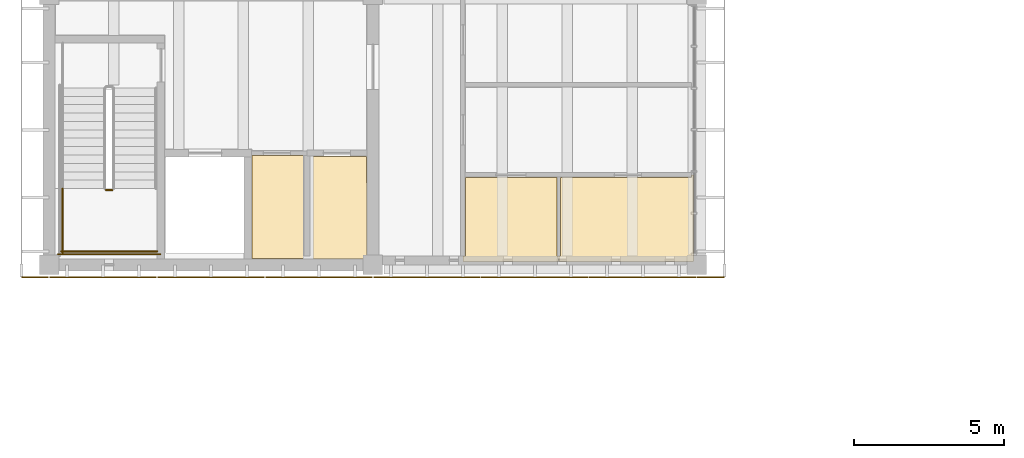
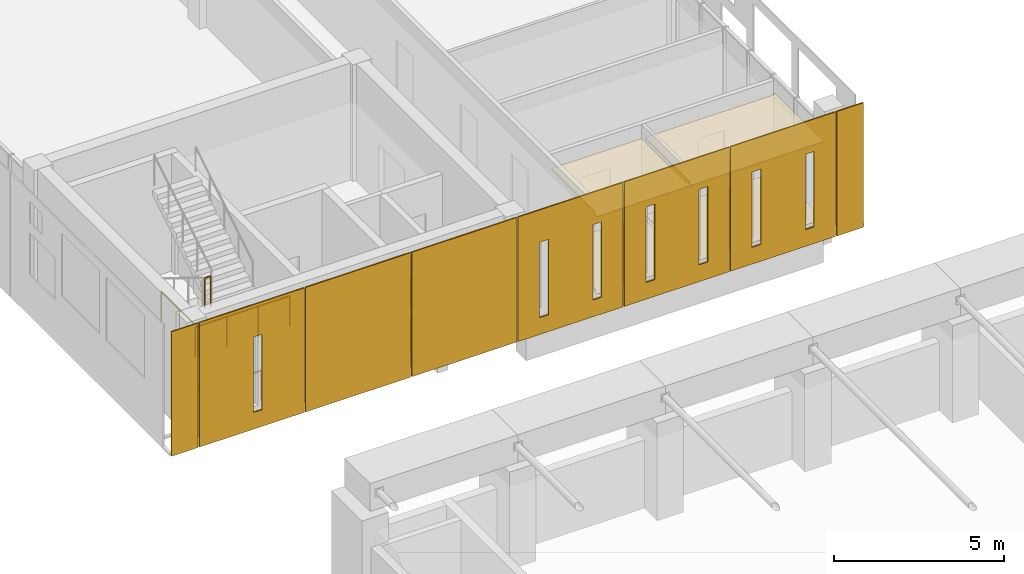
# One storey, part 72 of 92: 14 coverings, 4 railings.
"""IFC4 building model written with IfcOpenShell, lengths in metres."""

from ifc_helpers import new_model, si_unit, direction, frame, origin, origin_2d, place, context, subcontext, project, spatial, polyline, circle, outline, extrude, source, transform, mapped, material, layer, layer_set, type_object, element, save


model = new_model("IFC4")

# Units and contexts
model_context = context("Model", 3, precision=1e-05, world=origin(), true_north=direction((0.0, 1.0)))
body_context = subcontext(model_context, "Body", "Model", "MODEL_VIEW")
ifc_project = project(units=[si_unit("LENGTHUNIT", "METRE"), si_unit("AREAUNIT", "SQUARE_METRE"), si_unit("VOLUMEUNIT", "CUBIC_METRE"), si_unit("PLANEANGLEUNIT", "RADIAN"), si_unit("MASSUNIT", "GRAM", prefix="KILO")], contexts=[model_context])

# Site, building, storey
site_placement = place(None, origin())
site = spatial("IfcSite", under=ifc_project, at=site_placement, CompositionType="ELEMENT")
building_placement = place(site_placement, origin())
building = spatial("IfcBuilding", under=site, at=building_placement, Name="Merrow Basin Faculty of Sciences", CompositionType="ELEMENT")
storey_placement = place(building_placement, frame((0.0, 0.0, 4.5)))
storey = spatial("IfcBuildingStorey", under=building, at=storey_placement, Name="L01", CompositionType="ELEMENT", Elevation=4.5)

# Coverings
ifc_material_1 = material(Name="Carpet tile floor")
ifc_layer_1 = layer(ifc_material_1, 0.02001953125)
ifc_layer_set_1 = layer_set([ifc_layer_1], Name="Carpet tile floor")
covering_type_1 = type_object("IfcCoveringType", Name="Carpet tile floor", PredefinedType="FLOORING", material=ifc_layer_set_1)
covering_1_placement = place(storey_placement, origin())
element("IfcCovering", 1, at=covering_1_placement, inside=storey, type_object=covering_type_1, Name="Floor finish L01-B-004", PredefinedType="FLOORING", context=body_context, shape_type="SweptSolid", body=[
    extrude(outline(polyline([(10.590087890625, 64.614990234375), (10.590087890625, 61.31494140625), (10.7900390625, 61.31494140625), (10.7900390625, 61.110107421875), (10.485107421875, 61.110107421875), (10.485107421875, 61.2099609375), (8.610107421875, 61.2099609375), (8.610107421875, 61.2900390625), (8.7099609375, 61.2900390625), (8.7099609375, 64.614990234375), (10.590087890625, 64.614990234375)])), origin(), (0.0, 0.0, 1.0), 0.02001953125),
])
ifc_material_2 = material(Name="Ceramic floor tile")
ifc_layer_2 = layer(ifc_material_2, 0.02001953125)
ifc_layer_set_2 = layer_set([ifc_layer_2], Name="Ceramic floor tile")
covering_type_2 = type_object("IfcCoveringType", Name="Ceramic floor tile", PredefinedType="FLOORING", material=ifc_layer_set_2)
covering_2_placement = place(storey_placement, origin())
element("IfcCovering", 2, at=covering_2_placement, inside=storey, type_object=covering_type_2, Name="Floor finish L01-B-014", PredefinedType="FLOORING", context=body_context, shape_type="SweptSolid", body=[
    extrude(outline(polyline([(16.989990234375, 61.110107421875), (13.81005859375, 61.110107421875), (13.81005859375, 61.2900390625), (13.885009765625, 61.2900390625), (13.885009765625, 63.9150390625), (16.93994140625, 63.9150390625), (16.93994140625, 61.2900390625), (16.989990234375, 61.2900390625), (16.989990234375, 61.110107421875)])), origin(), (0.0, 0.0, 1.0), 0.02001953125),
])
covering_3_placement = place(storey_placement, origin())
element("IfcCovering", 3, at=covering_3_placement, inside=storey, type_object=covering_type_2, Name="Floor finish L01-B-015", PredefinedType="FLOORING", context=body_context, shape_type="SweptSolid", body=[
    extrude(outline(polyline([(21.489990234375, 63.989990234375), (21.489990234375, 61.110107421875), (17.010009765625, 61.110107421875), (17.010009765625, 61.2900390625), (17.06005859375, 61.2900390625), (17.06005859375, 63.9150390625), (21.429931640625, 63.9150390625), (21.429931640625, 63.989990234375), (21.489990234375, 63.989990234375)])), origin(), (0.0, 0.0, 1.0), 0.02001953125),
])
ifc_material_3 = material(Name="Sealed concrete floor", Category="concrete")
ifc_layer_3 = layer(ifc_material_3, 0.02001953125)
ifc_layer_set_3 = layer_set([ifc_layer_3], Name="Sealed concrete floor")
covering_type_3 = type_object("IfcCoveringType", Name="Sealed concrete floor", PredefinedType="FLOORING", material=ifc_layer_set_3)
covering_4_placement = place(storey_placement, origin())
element("IfcCovering", 4, at=covering_4_placement, inside=storey, type_object=covering_type_3, Name="Floor finish L01-B-003", PredefinedType="FLOORING", context=body_context, shape_type="SweptSolid", body=[
    extrude(outline(polyline([(8.590087890625, 61.2099609375), (6.760009765625, 61.2099609375), (6.760009765625, 64.639892578125), (8.489990234375, 64.639892578125), (8.489990234375, 61.2900390625), (8.590087890625, 61.2900390625), (8.590087890625, 61.2099609375)])), origin(), (0.0, 0.0, 1.0), 0.02001953125),
])

# Railings
ifc_material_4 = material(Name="Steel ASTM A36", Category="steel")
railing_type = type_object("IfcRailingType", Name="Steel guard 1100", PredefinedType="GUARDRAIL", material=ifc_material_4)
railing_1_placement = place(storey_placement, frame((1.89990234375, 63.489990234375, 2.25)))
element("IfcRailing", 5, at=railing_1_placement, inside=storey, type_object=railing_type, Name="L01 ST-V4-S stair guard 2", PredefinedType="GUARDRAIL", context=body_context, shape_type="SweptSolid", body=[
    extrude(circle(Radius=0.02392578125, at=origin_2d()), frame((0.0, 0.0, 1.076171875), z_axis=(1.0, 0.0, 0.0), x_axis=(0.0, 1.0, 0.0)), (0.0, 0.0, 1.0), 0.2001953125),
    extrude(circle(Radius=0.02099609375, at=origin_2d()), origin(), (0.0, 0.0, 1.0), 1.052001953125),
    extrude(circle(Radius=0.02099609375, at=origin_2d()), frame((0.2001953125, 0.0, 0.0)), (0.0, 0.0, 1.0), 1.052001953125),
])
railing_2_placement = place(storey_placement, frame((0.449951171875, 63.5400390625, 2.25)))
element("IfcRailing", 6, at=railing_2_placement, inside=storey, type_object=railing_type, Name="L01 ST-V4-S stair guard 3", PredefinedType="GUARDRAIL", context=body_context, shape_type="SweptSolid", body=[
    extrude(circle(Radius=0.02392578125, at=origin_2d()), frame((0.0, 0.0, 1.076171875), z_axis=(0.0, -1.0, 0.0), x_axis=(1.0, 0.0, 0.0)), (0.0, 0.0, 1.0), 2.14013671875),
    extrude(circle(Radius=0.02099609375, at=origin_2d()), origin(), (0.0, 0.0, 1.0), 1.052001953125),
    extrude(circle(Radius=0.02099609375, at=origin_2d()), frame((0.0, -1.070068359375, 0.0)), (0.0, 0.0, 1.0), 1.052001953125),
    extrude(circle(Radius=0.02099609375, at=origin_2d()), frame((0.0, -2.14013671875, 0.0)), (0.0, 0.0, 1.0), 1.052001953125),
])
railing_3_placement = place(storey_placement, frame((0.39990234375, 61.449951171875, 2.25)))
element("IfcRailing", 7, at=railing_3_placement, inside=storey, type_object=railing_type, Name="L01 ST-V4-S stair guard 4", PredefinedType="GUARDRAIL", context=body_context, shape_type="SweptSolid", body=[
    extrude(circle(Radius=0.02392578125, at=origin_2d()), frame((0.0, 0.0, 1.076171875), z_axis=(1.0, 0.0, 0.0), x_axis=(0.0, 1.0, 0.0)), (0.0, 0.0, 1.0), 3.2001953125),
    extrude(circle(Radius=0.02099609375, at=origin_2d()), origin(), (0.0, 0.0, 1.0), 1.052001953125),
    extrude(circle(Radius=0.02099609375, at=origin_2d()), frame((1.066650390625, 0.0, 0.0)), (0.0, 0.0, 1.0), 1.052001953125),
    extrude(circle(Radius=0.02099609375, at=origin_2d()), frame((2.133544921875, 0.0, 0.0)), (0.0, 0.0, 1.0), 1.052001953125),
    extrude(circle(Radius=0.02099609375, at=origin_2d()), frame((3.2001953125, 0.0, 0.0)), (0.0, 0.0, 1.0), 1.052001953125),
])
railing_4_placement = place(storey_placement, frame((0.300048828125, 61.35009765625, 0.0)))
element("IfcRailing", 8, at=railing_4_placement, inside=storey, type_object=railing_type, Name="L01 ST-V4-S stair guard 9", PredefinedType="GUARDRAIL", context=body_context, shape_type="SweptSolid", body=[
    extrude(circle(Radius=0.02392578125, at=origin_2d()), frame((0.0, 0.0, 1.076171875), z_axis=(1.0, 0.0, 0.0), x_axis=(0.0, 1.0, 0.0)), (0.0, 0.0, 1.0), 3.39990234375),
    extrude(circle(Radius=0.02099609375, at=origin_2d()), origin(), (0.0, 0.0, 1.0), 1.052001953125),
    extrude(circle(Radius=0.02099609375, at=origin_2d()), frame((1.13330078125, 0.0, 0.0)), (0.0, 0.0, 1.0), 1.052001953125),
    extrude(circle(Radius=0.02099609375, at=origin_2d()), frame((2.2666015625, 0.0, 0.0)), (0.0, 0.0, 1.0), 1.052001953125),
    extrude(circle(Radius=0.02099609375, at=origin_2d()), frame((3.39990234375, 0.0, 0.0)), (0.0, 0.0, 1.0), 1.052001953125),
])

# Coverings
ifc_material_5 = material(Name="Mineral fibre ceiling tile")
ifc_layer_4 = layer(ifc_material_5, 0.050048828125)
ifc_layer_set_4 = layer_set([ifc_layer_4], Name="Suspended acoustic ceiling tile")
covering_type_4 = type_object("IfcCoveringType", Name="Suspended acoustic ceiling tile", PredefinedType="CEILING", material=ifc_layer_set_4)
covering_5_placement = place(storey_placement, frame((0.0, 0.0, 2.75)))
element("IfcCovering", 9, at=covering_5_placement, inside=storey, type_object=covering_type_4, Name="Ceiling L01-B-014", PredefinedType="CEILING", context=body_context, shape_type="SweptSolid", body=[
    extrude(outline(polyline([(16.989990234375, 61.110107421875), (13.81005859375, 61.110107421875), (13.81005859375, 61.2900390625), (13.885009765625, 61.2900390625), (13.885009765625, 63.9150390625), (16.93994140625, 63.9150390625), (16.93994140625, 61.2900390625), (16.989990234375, 61.2900390625), (16.989990234375, 61.110107421875)])), origin(), (0.0, 0.0, 1.0), 0.050048828125),
])
covering_6_placement = place(storey_placement, frame((0.0, 0.0, 2.75)))
element("IfcCovering", 10, at=covering_6_placement, inside=storey, type_object=covering_type_4, Name="Ceiling L01-B-015", PredefinedType="CEILING", context=body_context, shape_type="SweptSolid", body=[
    extrude(outline(polyline([(21.489990234375, 63.989990234375), (21.489990234375, 61.110107421875), (17.010009765625, 61.110107421875), (17.010009765625, 61.2900390625), (17.06005859375, 61.2900390625), (17.06005859375, 63.9150390625), (21.429931640625, 63.9150390625), (21.429931640625, 63.989990234375), (21.489990234375, 63.989990234375)])), origin(), (0.0, 0.0, 1.0), 0.050048828125),
])
ifc_material_6 = material(Name="White powder-coated aluminium", Category="aluminium")
ifc_layer_5 = layer(ifc_material_6, 0.0400390625)
ifc_layer_set_5 = layer_set([ifc_layer_5], Name="End corner panel 940 x 4500")
covering_type_5 = type_object("IfcCoveringType", Name="End corner panel 940 x 4500", PredefinedType="CLADDING", material=ifc_layer_set_5)
shared_shape_1 = source(origin(), body_context, "Body", "SweptSolid", [
    extrude(outline(polyline([(0.02001953125, 0.02001953125), (0.919921875, 0.02001953125), (0.919921875, 4.47998046875), (0.02001953125, 4.47998046875), (0.02001953125, 0.02001953125)])), origin(), (0.0, 0.0, 1.0), 0.0400390625),
])
covering_7_placement = place(storey_placement, frame((0.0, 60.56005859375, -0.320068359375), z_axis=(0.0, 1.0, 0.0), x_axis=(-1.0, 0.0, 0.0)))
element("IfcCovering", 11, at=covering_7_placement, inside=storey, type_object=covering_type_5, Name="End panel SL01-01", PredefinedType="CLADDING", context=body_context, shape_type="MappedRepresentation", body=[
    mapped(shared_shape_1, transform((0.0, 0.0, 0.0), scale=1.0)),
])
ifc_material_7 = material(Name="White powder-coated aluminium", Category="aluminium")
ifc_layer_6 = layer(ifc_material_7, 0.0400390625)
ifc_layer_set_6 = layer_set([ifc_layer_6], Name="End panel 3600 x 4500")
covering_type_6 = type_object("IfcCoveringType", Name="End panel 3600 x 4500", PredefinedType="CLADDING", material=ifc_layer_set_6)
shared_shape_2 = source(origin(), body_context, "Body", "SweptSolid", [
    extrude(outline(polyline([(0.02001953125, 0.02001953125), (3.580078125, 0.02001953125), (3.580078125, 4.47998046875), (0.02001953125, 4.47998046875), (0.02001953125, 0.02001953125)]), holes=[polyline([(1.449951171875, 0.6201171875), (1.75, 0.6201171875), (1.75, 3.320068359375), (1.449951171875, 3.320068359375), (1.449951171875, 0.6201171875)])]), origin(), (0.0, 0.0, 1.0), 0.0400390625),
])
covering_8_placement = place(storey_placement, frame((3.60009765625, 60.56005859375, -0.320068359375), z_axis=(0.0, 1.0, 0.0), x_axis=(-1.0, 0.0, 0.0)))
element("IfcCovering", 12, at=covering_8_placement, inside=storey, type_object=covering_type_6, Name="End panel SL01-02", PredefinedType="CLADDING", context=body_context, shape_type="MappedRepresentation", body=[
    mapped(shared_shape_2, transform((0.0, 0.0, 0.0), scale=1.0)),
])
shared_shape_3 = source(origin(), body_context, "Body", "SweptSolid", [
    extrude(outline(polyline([(0.02001953125, 0.02001953125), (3.580078125, 0.02001953125), (3.580078125, 4.47998046875), (0.02001953125, 4.47998046875), (0.02001953125, 0.02001953125)])), origin(), (0.0, 0.0, 1.0), 0.0400390625),
])
covering_9_placement = place(storey_placement, frame((7.199951171875, 60.56005859375, -0.320068359375), z_axis=(0.0, 1.0, 0.0), x_axis=(-1.0, 0.0, 0.0)))
element("IfcCovering", 13, at=covering_9_placement, inside=storey, type_object=covering_type_6, Name="End panel SL01-03", PredefinedType="CLADDING", context=body_context, shape_type="MappedRepresentation", body=[
    mapped(shared_shape_3, transform((0.0, 0.0, 0.0), scale=1.0)),
])
shared_shape_4 = source(origin(), body_context, "Body", "SweptSolid", [
    extrude(outline(polyline([(0.02001953125, 0.02001953125), (3.580078125, 0.02001953125), (3.580078125, 4.47998046875), (0.02001953125, 4.47998046875), (0.02001953125, 0.02001953125)])), origin(), (0.0, 0.0, 1.0), 0.0400390625),
])
covering_10_placement = place(storey_placement, frame((10.800048828125, 60.56005859375, -0.320068359375), z_axis=(0.0, 1.0, 0.0), x_axis=(-1.0, 0.0, 0.0)))
element("IfcCovering", 14, at=covering_10_placement, inside=storey, type_object=covering_type_6, Name="End panel SL01-04", PredefinedType="CLADDING", context=body_context, shape_type="MappedRepresentation", body=[
    mapped(shared_shape_4, transform((0.0, 0.0, 0.0), scale=1.0)),
])
shared_shape_5 = source(origin(), body_context, "Body", "SweptSolid", [
    extrude(outline(polyline([(0.02001953125, 0.02001953125), (3.580078125, 0.02001953125), (3.580078125, 4.47998046875), (0.02001953125, 4.47998046875), (0.02001953125, 0.02001953125)]), holes=[polyline([(2.550048828125, 0.6201171875), (2.85009765625, 0.6201171875), (2.85009765625, 3.320068359375), (2.550048828125, 3.320068359375), (2.550048828125, 0.6201171875)]), polyline([(0.75, 0.6201171875), (1.050048828125, 0.6201171875), (1.050048828125, 3.320068359375), (0.75, 3.320068359375), (0.75, 0.6201171875)])]), origin(), (0.0, 0.0, 1.0), 0.0400390625),
])
covering_11_placement = place(storey_placement, frame((14.39990234375, 60.56005859375, -0.320068359375), z_axis=(0.0, 1.0, 0.0), x_axis=(-1.0, 0.0, 0.0)))
element("IfcCovering", 15, at=covering_11_placement, inside=storey, type_object=covering_type_6, Name="End panel SL01-05", PredefinedType="CLADDING", context=body_context, shape_type="MappedRepresentation", body=[
    mapped(shared_shape_5, transform((0.0, 0.0, 0.0), scale=1.0)),
])
shared_shape_6 = source(origin(), body_context, "Body", "SweptSolid", [
    extrude(outline(polyline([(0.02001953125, 0.02001953125), (3.580078125, 0.02001953125), (3.580078125, 4.47998046875), (0.02001953125, 4.47998046875), (0.02001953125, 0.02001953125)]), holes=[polyline([(2.550048828125, 0.6201171875), (2.85009765625, 0.6201171875), (2.85009765625, 3.320068359375), (2.550048828125, 3.320068359375), (2.550048828125, 0.6201171875)]), polyline([(0.75, 0.6201171875), (1.050048828125, 0.6201171875), (1.050048828125, 3.320068359375), (0.75, 3.320068359375), (0.75, 0.6201171875)])]), origin(), (0.0, 0.0, 1.0), 0.0400390625),
])
covering_12_placement = place(storey_placement, frame((18.0, 60.56005859375, -0.320068359375), z_axis=(0.0, 1.0, 0.0), x_axis=(-1.0, 0.0, 0.0)))
element("IfcCovering", 16, at=covering_12_placement, inside=storey, type_object=covering_type_6, Name="End panel SL01-06", PredefinedType="CLADDING", context=body_context, shape_type="MappedRepresentation", body=[
    mapped(shared_shape_6, transform((0.0, 0.0, 0.0), scale=1.0)),
])
shared_shape_7 = source(origin(), body_context, "Body", "SweptSolid", [
    extrude(outline(polyline([(0.02001953125, 0.02001953125), (3.580078125, 0.02001953125), (3.580078125, 4.47998046875), (0.02001953125, 4.47998046875), (0.02001953125, 0.02001953125)]), holes=[polyline([(2.550048828125, 0.6201171875), (2.85009765625, 0.6201171875), (2.85009765625, 3.320068359375), (2.550048828125, 3.320068359375), (2.550048828125, 0.6201171875)]), polyline([(0.75, 0.6201171875), (1.050048828125, 0.6201171875), (1.050048828125, 3.320068359375), (0.75, 3.320068359375), (0.75, 0.6201171875)])]), origin(), (0.0, 0.0, 1.0), 0.0400390625),
])
covering_13_placement = place(storey_placement, frame((21.60009765625, 60.56005859375, -0.320068359375), z_axis=(0.0, 1.0, 0.0), x_axis=(-1.0, 0.0, 0.0)))
element("IfcCovering", 17, at=covering_13_placement, inside=storey, type_object=covering_type_6, Name="End panel SL01-07", PredefinedType="CLADDING", context=body_context, shape_type="MappedRepresentation", body=[
    mapped(shared_shape_7, transform((0.0, 0.0, 0.0), scale=1.0)),
])
shared_shape_8 = source(origin(), body_context, "Body", "SweptSolid", [
    extrude(outline(polyline([(0.02001953125, 0.02001953125), (0.919921875, 0.02001953125), (0.919921875, 4.47998046875), (0.02001953125, 4.47998046875), (0.02001953125, 0.02001953125)])), origin(), (0.0, 0.0, 1.0), 0.0400390625),
])
covering_14_placement = place(storey_placement, frame((22.5400390625, 60.56005859375, -0.320068359375), z_axis=(0.0, 1.0, 0.0), x_axis=(-1.0, 0.0, 0.0)))
element("IfcCovering", 18, at=covering_14_placement, inside=storey, type_object=covering_type_5, Name="End panel SL01-08", PredefinedType="CLADDING", context=body_context, shape_type="MappedRepresentation", body=[
    mapped(shared_shape_8, transform((0.0, 0.0, 0.0), scale=1.0)),
])

save(model, "model.ifc")
